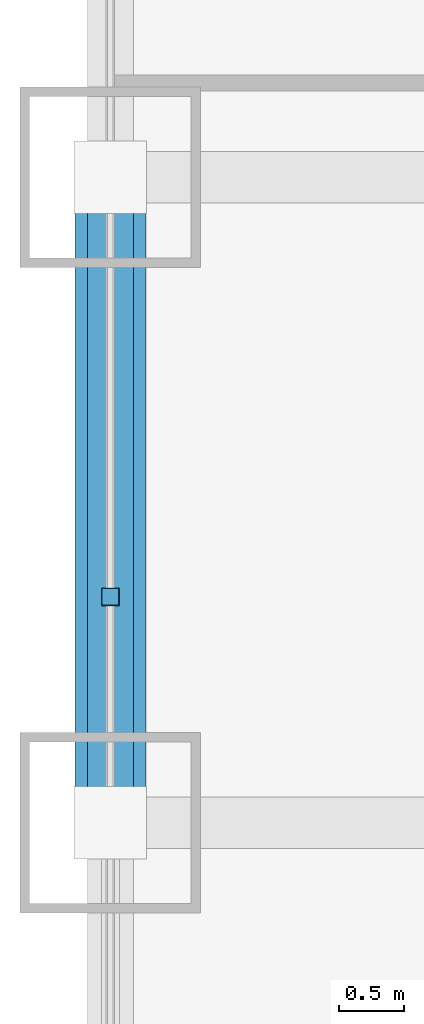
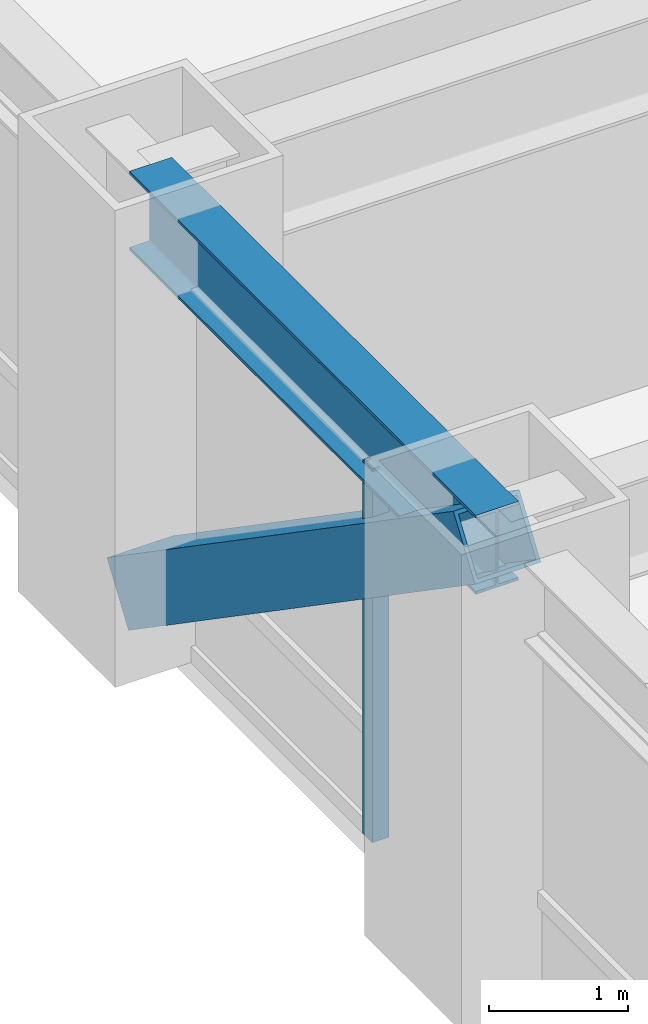
# One storey, part 6 of 27: 2 members, 1 beam, 1 element without a shape of its own.
"""IFC4 building model written with IfcOpenShell, lengths in metres."""

from ifc_helpers import new_model, si_unit, direction, frame, origin, origin_2d, place, context, subcontext, project, spatial, hollow_rectangle, i_section, extrude, source, transform, mapped, material, material_profile, profile_set, type_object, element, aggregate, save


model = new_model("IFC4")

# Units and contexts
model_context = context("Model", 3, precision=1e-05, world=origin(), true_north=direction((0.0, 1.0)))
body_context = subcontext(model_context, "Body", "Model", "MODEL_VIEW")
ifc_project = project(units=[si_unit("LENGTHUNIT", "METRE"), si_unit("AREAUNIT", "SQUARE_METRE"), si_unit("VOLUMEUNIT", "CUBIC_METRE"), si_unit("PLANEANGLEUNIT", "RADIAN"), si_unit("MASSUNIT", "GRAM", prefix="KILO")], contexts=[model_context])

# Site, building, storey
site_placement = place(None, origin())
site = spatial("IfcSite", under=ifc_project, at=site_placement, CompositionType="ELEMENT")
building_placement = place(site_placement, origin())
building = spatial("IfcBuilding", under=site, at=building_placement, Name="Khorayat Bourse Tower", CompositionType="ELEMENT")
storey_placement = place(building_placement, frame((0.0, 0.0, 53.60009765625)))
storey = spatial("IfcBuildingStorey", under=building, at=storey_placement, Name="L11", CompositionType="ELEMENT", Elevation=53.60009765625)

# Beam
ifc_material_1 = material(Name="Steel ASTM A992 Grade 50", Category="steel")
ifc_material_profile_1 = material_profile(ifc_material_1, i_section(OverallWidth=0.35498046875, OverallDepth=0.695068359375, WebThickness=0.015380859375, FlangeThickness=0.02490234375, FilletRadius=0.01806640625, at=origin_2d()), Name="W690X217")
ifc_profile_set_1 = profile_set([ifc_material_profile_1], Name="Steel ASTM A992 Grade 50")
beam_type = type_object("IfcBeamType", Name="BM-SPAN-690", PredefinedType="SPANDREL", material=ifc_profile_set_1)
shared_shape_1 = source(origin(), body_context, "Body", "SweptSolid", [
    extrude(i_section(OverallWidth=0.35498046875, OverallDepth=0.695068359375, WebThickness=0.015380859375, FlangeThickness=0.02490234375, FilletRadius=0.01806640625, at=origin_2d()), origin(), (0.0, 0.0, 1.0), 5.0),
])
beam_placement = place(storey_placement, frame((-32.0, -11.0, 3.59228515625), z_axis=(0.0, 1.0, 0.0), x_axis=(-1.0, 0.0, 0.0)))
element("IfcBeam", 1, at=beam_placement, inside=storey, type_object=beam_type, Name="L11 BM-SPAN-690 BM-L11-SPN-059", PredefinedType="SPANDREL", context=body_context, shape_type="MappedRepresentation", body=[
    mapped(shared_shape_1, transform((0.0, 0.0, 0.0), scale=1.0)),
])

# Member
ifc_material_2 = material(Name="Steel EN 10025-4 S460M", Category="steel")
ifc_material_profile_2 = material_profile(ifc_material_2, hollow_rectangle(XDim=0.550048828125, YDim=0.550048828125, WallThickness=0.031982421875, at=origin_2d()), Name="HSS 550x550x32")
ifc_profile_set_2 = profile_set([ifc_material_profile_2], Name="Steel EN 10025-4 S460M")
member_type_1 = type_object("IfcMemberType", Name="MBR-TUBE-550", PredefinedType="BRACE", material=ifc_profile_set_2)
shared_shape_2 = source(origin(), body_context, "Body", "SweptSolid", [
    extrude(hollow_rectangle(XDim=0.550048828125, YDim=0.550048828125, WallThickness=0.031982421875, at=origin_2d()), origin(), (0.0, 0.0, 1.0), 6.069091796875),
])
member_1_placement = place(storey_placement, frame((-32.0, -11.0, 3.68994140625), z_axis=(0.0, 0.823854080622, -0.566801952928), x_axis=(-1.0, 0.0, 0.0)))
element("IfcMember", 2, at=member_1_placement, inside=storey, type_object=member_type_1, Name="L11 Perimeter Tube Brace 05", PredefinedType="BRACE", context=body_context, shape_type="MappedRepresentation", body=[
    mapped(shared_shape_2, transform((0.0, 0.0, 0.0), scale=1.0)),
])

# Curtain wall, member
ifc_material_3 = material(Name="Aluminium EN AW-6063 T6", Category="aluminium")
curtain_wall_type = type_object("IfcCurtainWallType", Name="CW-SYS-02", PredefinedType="NOTDEFINED", material=ifc_material_3)
curtain_wall_placement = place(storey_placement, origin())
curtain_wall = element("IfcCurtainWall", 3, at=curtain_wall_placement, inside=storey, type_object=curtain_wall_type, Name="L11 Curtain Wall CW-L11-W1", PredefinedType="NOTDEFINED")
ifc_material_profile_3 = material_profile(ifc_material_3, hollow_rectangle(XDim=0.139892578125, YDim=0.139892578125, WallThickness=0.006103515625, at=origin_2d()), Name="ALU 140x140x6")
ifc_profile_set_3 = profile_set([ifc_material_profile_3], Name="Aluminium EN AW-6063 T6")
member_type_2 = type_object("IfcMemberType", Name="CWM-VERT-140", PredefinedType="MULLION", material=ifc_profile_set_3)
shared_shape_3 = source(origin(), body_context, "Body", "SweptSolid", [
    extrude(hollow_rectangle(XDim=0.139892578125, YDim=0.139892578125, WallThickness=0.006103515625, at=origin_2d()), origin(), (0.0, 0.0, 1.0), 3.289794921875),
])
member_2_placement = place(storey_placement, frame((-32.0, -9.25, 0.0), z_axis=(0.0, 0.0, 1.0), x_axis=(-1.0, 0.0, 0.0)))
member_2 = element("IfcMember", 4, at=member_2_placement, type_object=member_type_2, Name="CW-L11-W1 Vertical Mullion 2", PredefinedType="MULLION", context=body_context, shape_type="MappedRepresentation", body=[
    mapped(shared_shape_3, transform((0.0, 0.0, 0.0), scale=1.0)),
])
aggregate(curtain_wall, [member_2])

save(model, "model.ifc")
